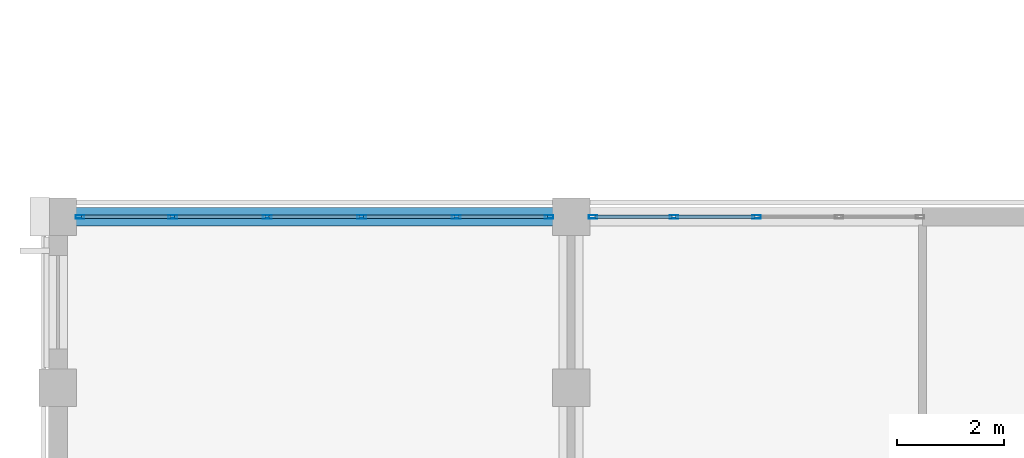
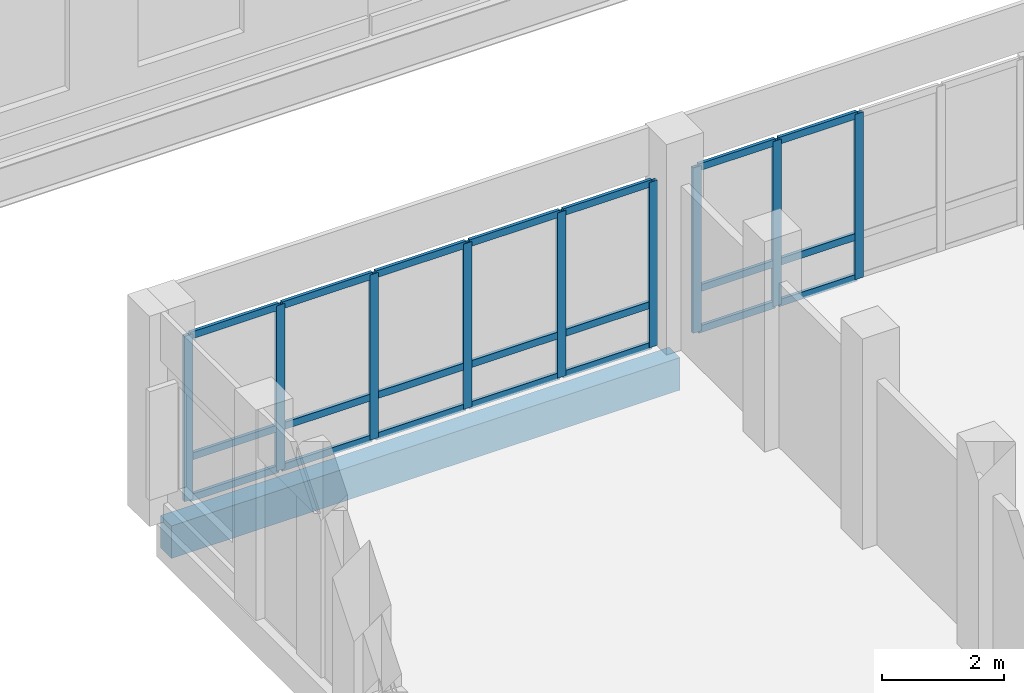
# One storey, part 30 of 185: 30 members, 1 beam, 2 elements without a shape of their own.
"""IFC4 building model written with IfcOpenShell, lengths in metres."""

from ifc_helpers import new_model, si_unit, direction, frame, origin, origin_2d, place, context, subcontext, project, spatial, rectangle, hollow_rectangle, extrude, material, material_profile, profile_set, type_object, element, aggregate, save


model = new_model("IFC4")

# Units and contexts
model_context = context("Model", 3, precision=1e-05, world=origin(), true_north=direction((0.0, 1.0)))
body_context = subcontext(model_context, "Body", "Model", "MODEL_VIEW")
ifc_project = project(units=[si_unit("LENGTHUNIT", "METRE"), si_unit("AREAUNIT", "SQUARE_METRE"), si_unit("VOLUMEUNIT", "CUBIC_METRE"), si_unit("PLANEANGLEUNIT", "RADIAN"), si_unit("MASSUNIT", "GRAM", prefix="KILO")], contexts=[model_context])

# Site, building, storey
site_placement = place(None, origin())
site = spatial("IfcSite", under=ifc_project, at=site_placement, CompositionType="ELEMENT")
building_placement = place(site_placement, origin())
building = spatial("IfcBuilding", under=site, at=building_placement, Name="Vondelvale Polytechnic", CompositionType="ELEMENT")
storey_placement = place(building_placement, frame((0.0, 0.0, 9.60009765625)))
storey = spatial("IfcBuildingStorey", under=building, at=storey_placement, Name="L02", CompositionType="ELEMENT", Elevation=9.60009765625)

# Curtain wall, members
ifc_material_1 = material(Name="Anodised extruded aluminium 6063-T6", Category="aluminium")
curtain_wall_type = type_object("IfcCurtainWallType", Name="CW-STUDIO-NORTH", PredefinedType="NOTDEFINED", material=ifc_material_1)
curtain_wall_1_placement = place(storey_placement, origin())
curtain_wall_1 = element("IfcCurtainWall", 1, at=curtain_wall_1_placement, inside=storey, type_object=curtain_wall_type, Name="L02 architectural curtain wall CW-01-019", PredefinedType="NOTDEFINED")
ifc_material_profile_1 = material_profile(ifc_material_1, hollow_rectangle(XDim=0.06494140625, YDim=0.159912109375, WallThickness=0.0048828125, at=origin_2d()), Name="CW-MUL-160x65")
ifc_profile_set_1 = profile_set([ifc_material_profile_1], Name="Anodised extruded aluminium 6063-T6")
member_type_1 = type_object("IfcMemberType", Name="CW-MUL-65x160", PredefinedType="MULLION", material=ifc_profile_set_1)
member_1_placement = place(storey_placement, frame((0.41259765625, 40.800048828125, 0.0), z_axis=(0.0, 0.0, 1.0), x_axis=(0.0, 1.0, 0.0)))
member_1 = element("IfcMember", 2, at=member_1_placement, type_object=member_type_1, Name="CW-01-019 mullion 1", PredefinedType="MULLION", context=body_context, shape_type="SweptSolid", body=[
    extrude(hollow_rectangle(XDim=0.06494140625, YDim=0.159912109375, WallThickness=0.0048828125, at=origin_2d()), origin(), (0.0, 0.0, 1.0), 3.2998046875),
])
member_2_placement = place(storey_placement, frame((2.14794921875, 40.800048828125, 0.0), z_axis=(0.0, 0.0, 1.0), x_axis=(0.0, 1.0, 0.0)))
member_2 = element("IfcMember", 3, at=member_2_placement, type_object=member_type_1, Name="CW-01-019 mullion 2", PredefinedType="MULLION", context=body_context, shape_type="SweptSolid", body=[
    extrude(hollow_rectangle(XDim=0.06494140625, YDim=0.159912109375, WallThickness=0.0048828125, at=origin_2d()), origin(), (0.0, 0.0, 1.0), 3.2998046875),
])
member_3_placement = place(storey_placement, frame((3.916015625, 40.800048828125, 0.0), z_axis=(0.0, 0.0, 1.0), x_axis=(0.0, 1.0, 0.0)))
member_3 = element("IfcMember", 4, at=member_3_placement, type_object=member_type_1, Name="CW-01-019 mullion 3", PredefinedType="MULLION", context=body_context, shape_type="SweptSolid", body=[
    extrude(hollow_rectangle(XDim=0.06494140625, YDim=0.159912109375, WallThickness=0.0048828125, at=origin_2d()), origin(), (0.0, 0.0, 1.0), 3.2998046875),
])
member_4_placement = place(storey_placement, frame((5.68408203125, 40.800048828125, 0.0), z_axis=(0.0, 0.0, 1.0), x_axis=(0.0, 1.0, 0.0)))
member_4 = element("IfcMember", 5, at=member_4_placement, type_object=member_type_1, Name="CW-01-019 mullion 4", PredefinedType="MULLION", context=body_context, shape_type="SweptSolid", body=[
    extrude(hollow_rectangle(XDim=0.06494140625, YDim=0.159912109375, WallThickness=0.0048828125, at=origin_2d()), origin(), (0.0, 0.0, 1.0), 3.2998046875),
])
member_5_placement = place(storey_placement, frame((7.451904296875, 40.800048828125, 0.0), z_axis=(0.0, 0.0, 1.0), x_axis=(0.0, 1.0, 0.0)))
member_5 = element("IfcMember", 6, at=member_5_placement, type_object=member_type_1, Name="CW-01-019 mullion 5", PredefinedType="MULLION", context=body_context, shape_type="SweptSolid", body=[
    extrude(hollow_rectangle(XDim=0.06494140625, YDim=0.159912109375, WallThickness=0.0048828125, at=origin_2d()), origin(), (0.0, 0.0, 1.0), 3.2998046875),
])
member_6_placement = place(storey_placement, frame((9.1875, 40.800048828125, 0.0), z_axis=(0.0, 0.0, 1.0), x_axis=(0.0, 1.0, 0.0)))
member_6 = element("IfcMember", 7, at=member_6_placement, type_object=member_type_1, Name="CW-01-019 mullion 6", PredefinedType="MULLION", context=body_context, shape_type="SweptSolid", body=[
    extrude(hollow_rectangle(XDim=0.06494140625, YDim=0.159912109375, WallThickness=0.0048828125, at=origin_2d()), origin(), (0.0, 0.0, 1.0), 3.2998046875),
])

curtain_wall_2_placement = place(storey_placement, origin())
curtain_wall_2 = element("IfcCurtainWall", 8, at=curtain_wall_2_placement, inside=storey, type_object=curtain_wall_type, Name="L02 architectural curtain wall CW-01-020", PredefinedType="NOTDEFINED")
member_7_placement = place(storey_placement, frame((10.012451171875, 40.800048828125, 0.0), z_axis=(0.0, 0.0, 1.0), x_axis=(0.0, 1.0, 0.0)))
member_7 = element("IfcMember", 9, at=member_7_placement, type_object=member_type_1, Name="CW-01-020 mullion 1", PredefinedType="MULLION", context=body_context, shape_type="SweptSolid", body=[
    extrude(hollow_rectangle(XDim=0.06494140625, YDim=0.159912109375, WallThickness=0.0048828125, at=origin_2d()), origin(), (0.0, 0.0, 1.0), 3.2998046875),
])
member_8_placement = place(storey_placement, frame((11.52490234375, 40.800048828125, 0.0), z_axis=(0.0, 0.0, 1.0), x_axis=(0.0, 1.0, 0.0)))
member_8 = element("IfcMember", 10, at=member_8_placement, type_object=member_type_1, Name="CW-01-020 mullion 2", PredefinedType="MULLION", context=body_context, shape_type="SweptSolid", body=[
    extrude(hollow_rectangle(XDim=0.06494140625, YDim=0.159912109375, WallThickness=0.0048828125, at=origin_2d()), origin(), (0.0, 0.0, 1.0), 3.2998046875),
])
member_9_placement = place(storey_placement, frame((13.070068359375, 40.800048828125, 0.0), z_axis=(0.0, 0.0, 1.0), x_axis=(0.0, 1.0, 0.0)))
member_9 = element("IfcMember", 11, at=member_9_placement, type_object=member_type_1, Name="CW-01-020 mullion 3", PredefinedType="MULLION", context=body_context, shape_type="SweptSolid", body=[
    extrude(hollow_rectangle(XDim=0.06494140625, YDim=0.159912109375, WallThickness=0.0048828125, at=origin_2d()), origin(), (0.0, 0.0, 1.0), 3.2998046875),
])

# Member
ifc_material_profile_2 = material_profile(ifc_material_1, hollow_rectangle(XDim=0.06005859375, YDim=0.139892578125, WallThickness=0.00341796875, at=origin_2d()), Name="CW-TRN-140x60")
ifc_profile_set_2 = profile_set([ifc_material_profile_2], Name="Anodised extruded aluminium 6063-T6")
member_type_2 = type_object("IfcMemberType", Name="CW-TRN-60x140", PredefinedType="USERDEFINED", material=ifc_profile_set_2)
member_10_placement = place(storey_placement, frame((0.445068359375, 40.800048828125, 0.02978515625), z_axis=(1.0, 0.0, 0.0), x_axis=(0.0, 1.0, 0.0)))
member_10 = element("IfcMember", 12, at=member_10_placement, type_object=member_type_2, Name="CW-01-019 transom 1.1", ObjectType="TRANSOM", PredefinedType="USERDEFINED", context=body_context, shape_type="SweptSolid", body=[
    extrude(hollow_rectangle(XDim=0.06005859375, YDim=0.139892578125, WallThickness=0.00341796875, at=origin_2d()), origin(), (0.0, 0.0, 1.0), 1.67041015625),
])

member_11_placement = place(storey_placement, frame((0.445068359375, 40.800048828125, 0.849853515625), z_axis=(1.0, 0.0, 0.0), x_axis=(0.0, 1.0, 0.0)))
member_11 = element("IfcMember", 13, at=member_11_placement, type_object=member_type_2, Name="CW-01-019 transom 1.2", ObjectType="TRANSOM", PredefinedType="USERDEFINED", context=body_context, shape_type="SweptSolid", body=[
    extrude(hollow_rectangle(XDim=0.06005859375, YDim=0.139892578125, WallThickness=0.00341796875, at=origin_2d()), origin(), (0.0, 0.0, 1.0), 1.67041015625),
])

member_12_placement = place(storey_placement, frame((0.445068359375, 40.800048828125, 3.27001953125), z_axis=(1.0, 0.0, 0.0), x_axis=(0.0, 1.0, 0.0)))
member_12 = element("IfcMember", 14, at=member_12_placement, type_object=member_type_2, Name="CW-01-019 transom 1.3", ObjectType="TRANSOM", PredefinedType="USERDEFINED", context=body_context, shape_type="SweptSolid", body=[
    extrude(hollow_rectangle(XDim=0.06005859375, YDim=0.139892578125, WallThickness=0.00341796875, at=origin_2d()), origin(), (0.0, 0.0, 1.0), 1.67041015625),
])

member_13_placement = place(storey_placement, frame((2.180419921875, 40.800048828125, 0.02978515625), z_axis=(1.0, 0.0, 0.0), x_axis=(0.0, 1.0, 0.0)))
member_13 = element("IfcMember", 15, at=member_13_placement, type_object=member_type_2, Name="CW-01-019 transom 2.1", ObjectType="TRANSOM", PredefinedType="USERDEFINED", context=body_context, shape_type="SweptSolid", body=[
    extrude(hollow_rectangle(XDim=0.06005859375, YDim=0.139892578125, WallThickness=0.00341796875, at=origin_2d()), origin(), (0.0, 0.0, 1.0), 1.703125),
])

member_14_placement = place(storey_placement, frame((2.180419921875, 40.800048828125, 0.849853515625), z_axis=(1.0, 0.0, 0.0), x_axis=(0.0, 1.0, 0.0)))
member_14 = element("IfcMember", 16, at=member_14_placement, type_object=member_type_2, Name="CW-01-019 transom 2.2", ObjectType="TRANSOM", PredefinedType="USERDEFINED", context=body_context, shape_type="SweptSolid", body=[
    extrude(hollow_rectangle(XDim=0.06005859375, YDim=0.139892578125, WallThickness=0.00341796875, at=origin_2d()), origin(), (0.0, 0.0, 1.0), 1.703125),
])

member_15_placement = place(storey_placement, frame((2.180419921875, 40.800048828125, 3.27001953125), z_axis=(1.0, 0.0, 0.0), x_axis=(0.0, 1.0, 0.0)))
member_15 = element("IfcMember", 17, at=member_15_placement, type_object=member_type_2, Name="CW-01-019 transom 2.3", ObjectType="TRANSOM", PredefinedType="USERDEFINED", context=body_context, shape_type="SweptSolid", body=[
    extrude(hollow_rectangle(XDim=0.06005859375, YDim=0.139892578125, WallThickness=0.00341796875, at=origin_2d()), origin(), (0.0, 0.0, 1.0), 1.703125),
])

member_16_placement = place(storey_placement, frame((3.948486328125, 40.800048828125, 0.02978515625), z_axis=(1.0, 0.0, 0.0), x_axis=(0.0, 1.0, 0.0)))
member_16 = element("IfcMember", 18, at=member_16_placement, type_object=member_type_2, Name="CW-01-019 transom 3.1", ObjectType="TRANSOM", PredefinedType="USERDEFINED", context=body_context, shape_type="SweptSolid", body=[
    extrude(hollow_rectangle(XDim=0.06005859375, YDim=0.139892578125, WallThickness=0.00341796875, at=origin_2d()), origin(), (0.0, 0.0, 1.0), 1.703125),
])

member_17_placement = place(storey_placement, frame((3.948486328125, 40.800048828125, 0.849853515625), z_axis=(1.0, 0.0, 0.0), x_axis=(0.0, 1.0, 0.0)))
member_17 = element("IfcMember", 19, at=member_17_placement, type_object=member_type_2, Name="CW-01-019 transom 3.2", ObjectType="TRANSOM", PredefinedType="USERDEFINED", context=body_context, shape_type="SweptSolid", body=[
    extrude(hollow_rectangle(XDim=0.06005859375, YDim=0.139892578125, WallThickness=0.00341796875, at=origin_2d()), origin(), (0.0, 0.0, 1.0), 1.703125),
])

member_18_placement = place(storey_placement, frame((3.948486328125, 40.800048828125, 3.27001953125), z_axis=(1.0, 0.0, 0.0), x_axis=(0.0, 1.0, 0.0)))
member_18 = element("IfcMember", 20, at=member_18_placement, type_object=member_type_2, Name="CW-01-019 transom 3.3", ObjectType="TRANSOM", PredefinedType="USERDEFINED", context=body_context, shape_type="SweptSolid", body=[
    extrude(hollow_rectangle(XDim=0.06005859375, YDim=0.139892578125, WallThickness=0.00341796875, at=origin_2d()), origin(), (0.0, 0.0, 1.0), 1.703125),
])

member_19_placement = place(storey_placement, frame((5.716552734375, 40.800048828125, 0.02978515625), z_axis=(1.0, 0.0, 0.0), x_axis=(0.0, 1.0, 0.0)))
member_19 = element("IfcMember", 21, at=member_19_placement, type_object=member_type_2, Name="CW-01-019 transom 4.1", ObjectType="TRANSOM", PredefinedType="USERDEFINED", context=body_context, shape_type="SweptSolid", body=[
    extrude(hollow_rectangle(XDim=0.06005859375, YDim=0.139892578125, WallThickness=0.00341796875, at=origin_2d()), origin(), (0.0, 0.0, 1.0), 1.702880859375),
])

member_20_placement = place(storey_placement, frame((5.716552734375, 40.800048828125, 0.849853515625), z_axis=(1.0, 0.0, 0.0), x_axis=(0.0, 1.0, 0.0)))
member_20 = element("IfcMember", 22, at=member_20_placement, type_object=member_type_2, Name="CW-01-019 transom 4.2", ObjectType="TRANSOM", PredefinedType="USERDEFINED", context=body_context, shape_type="SweptSolid", body=[
    extrude(hollow_rectangle(XDim=0.06005859375, YDim=0.139892578125, WallThickness=0.00341796875, at=origin_2d()), origin(), (0.0, 0.0, 1.0), 1.702880859375),
])

member_21_placement = place(storey_placement, frame((5.716552734375, 40.800048828125, 3.27001953125), z_axis=(1.0, 0.0, 0.0), x_axis=(0.0, 1.0, 0.0)))
member_21 = element("IfcMember", 23, at=member_21_placement, type_object=member_type_2, Name="CW-01-019 transom 4.3", ObjectType="TRANSOM", PredefinedType="USERDEFINED", context=body_context, shape_type="SweptSolid", body=[
    extrude(hollow_rectangle(XDim=0.06005859375, YDim=0.139892578125, WallThickness=0.00341796875, at=origin_2d()), origin(), (0.0, 0.0, 1.0), 1.702880859375),
])

member_22_placement = place(storey_placement, frame((7.484619140625, 40.800048828125, 0.02978515625), z_axis=(1.0, 0.0, 0.0), x_axis=(0.0, 1.0, 0.0)))
member_22 = element("IfcMember", 24, at=member_22_placement, type_object=member_type_2, Name="CW-01-019 transom 5.1", ObjectType="TRANSOM", PredefinedType="USERDEFINED", context=body_context, shape_type="SweptSolid", body=[
    extrude(hollow_rectangle(XDim=0.06005859375, YDim=0.139892578125, WallThickness=0.00341796875, at=origin_2d()), origin(), (0.0, 0.0, 1.0), 1.67041015625),
])

member_23_placement = place(storey_placement, frame((7.484619140625, 40.800048828125, 0.849853515625), z_axis=(1.0, 0.0, 0.0), x_axis=(0.0, 1.0, 0.0)))
member_23 = element("IfcMember", 25, at=member_23_placement, type_object=member_type_2, Name="CW-01-019 transom 5.2", ObjectType="TRANSOM", PredefinedType="USERDEFINED", context=body_context, shape_type="SweptSolid", body=[
    extrude(hollow_rectangle(XDim=0.06005859375, YDim=0.139892578125, WallThickness=0.00341796875, at=origin_2d()), origin(), (0.0, 0.0, 1.0), 1.67041015625),
])

member_24_placement = place(storey_placement, frame((7.484619140625, 40.800048828125, 3.27001953125), z_axis=(1.0, 0.0, 0.0), x_axis=(0.0, 1.0, 0.0)))
member_24 = element("IfcMember", 26, at=member_24_placement, type_object=member_type_2, Name="CW-01-019 transom 5.3", ObjectType="TRANSOM", PredefinedType="USERDEFINED", context=body_context, shape_type="SweptSolid", body=[
    extrude(hollow_rectangle(XDim=0.06005859375, YDim=0.139892578125, WallThickness=0.00341796875, at=origin_2d()), origin(), (0.0, 0.0, 1.0), 1.67041015625),
])

aggregate(curtain_wall_1, [member_1, member_2, member_3, member_4, member_5, member_6, member_10, member_11, member_12, member_13, member_14, member_15, member_16, member_17, member_18, member_19, member_20, member_21, member_22, member_23, member_24])

member_25_placement = place(storey_placement, frame((10.044921875, 40.800048828125, 0.02978515625), z_axis=(1.0, 0.0, 0.0), x_axis=(0.0, 1.0, 0.0)))
member_25 = element("IfcMember", 27, at=member_25_placement, type_object=member_type_2, Name="CW-01-020 transom 1.1", ObjectType="TRANSOM", PredefinedType="USERDEFINED", context=body_context, shape_type="SweptSolid", body=[
    extrude(hollow_rectangle(XDim=0.06005859375, YDim=0.139892578125, WallThickness=0.00341796875, at=origin_2d()), origin(), (0.0, 0.0, 1.0), 1.447509765625),
])

member_26_placement = place(storey_placement, frame((10.044921875, 40.800048828125, 0.849853515625), z_axis=(1.0, 0.0, 0.0), x_axis=(0.0, 1.0, 0.0)))
member_26 = element("IfcMember", 28, at=member_26_placement, type_object=member_type_2, Name="CW-01-020 transom 1.2", ObjectType="TRANSOM", PredefinedType="USERDEFINED", context=body_context, shape_type="SweptSolid", body=[
    extrude(hollow_rectangle(XDim=0.06005859375, YDim=0.139892578125, WallThickness=0.00341796875, at=origin_2d()), origin(), (0.0, 0.0, 1.0), 1.447509765625),
])

member_27_placement = place(storey_placement, frame((10.044921875, 40.800048828125, 3.27001953125), z_axis=(1.0, 0.0, 0.0), x_axis=(0.0, 1.0, 0.0)))
member_27 = element("IfcMember", 29, at=member_27_placement, type_object=member_type_2, Name="CW-01-020 transom 1.3", ObjectType="TRANSOM", PredefinedType="USERDEFINED", context=body_context, shape_type="SweptSolid", body=[
    extrude(hollow_rectangle(XDim=0.06005859375, YDim=0.139892578125, WallThickness=0.00341796875, at=origin_2d()), origin(), (0.0, 0.0, 1.0), 1.447509765625),
])

member_28_placement = place(storey_placement, frame((11.5576171875, 40.800048828125, 0.02978515625), z_axis=(1.0, 0.0, 0.0), x_axis=(0.0, 1.0, 0.0)))
member_28 = element("IfcMember", 30, at=member_28_placement, type_object=member_type_2, Name="CW-01-020 transom 2.1", ObjectType="TRANSOM", PredefinedType="USERDEFINED", context=body_context, shape_type="SweptSolid", body=[
    extrude(hollow_rectangle(XDim=0.06005859375, YDim=0.139892578125, WallThickness=0.00341796875, at=origin_2d()), origin(), (0.0, 0.0, 1.0), 1.47998046875),
])

member_29_placement = place(storey_placement, frame((11.5576171875, 40.800048828125, 0.849853515625), z_axis=(1.0, 0.0, 0.0), x_axis=(0.0, 1.0, 0.0)))
member_29 = element("IfcMember", 31, at=member_29_placement, type_object=member_type_2, Name="CW-01-020 transom 2.2", ObjectType="TRANSOM", PredefinedType="USERDEFINED", context=body_context, shape_type="SweptSolid", body=[
    extrude(hollow_rectangle(XDim=0.06005859375, YDim=0.139892578125, WallThickness=0.00341796875, at=origin_2d()), origin(), (0.0, 0.0, 1.0), 1.47998046875),
])

member_30_placement = place(storey_placement, frame((11.5576171875, 40.800048828125, 3.27001953125), z_axis=(1.0, 0.0, 0.0), x_axis=(0.0, 1.0, 0.0)))
member_30 = element("IfcMember", 32, at=member_30_placement, type_object=member_type_2, Name="CW-01-020 transom 2.3", ObjectType="TRANSOM", PredefinedType="USERDEFINED", context=body_context, shape_type="SweptSolid", body=[
    extrude(hollow_rectangle(XDim=0.06005859375, YDim=0.139892578125, WallThickness=0.00341796875, at=origin_2d()), origin(), (0.0, 0.0, 1.0), 1.47998046875),
])

aggregate(curtain_wall_2, [member_7, member_8, member_9, member_25, member_26, member_27, member_28, member_29, member_30])

# Beam
ifc_material_2 = material(Name="Precast concrete N40 (f'c = 40 MPa)", Category="concrete")
ifc_material_profile_3 = material_profile(ifc_material_2, rectangle(XDim=0.35009765625, YDim=0.64990234375, at=origin_2d()), Name="RC-SPN-350x650")
ifc_profile_set_3 = profile_set([ifc_material_profile_3], Name="Precast concrete N40 (f'c = 40 MPa)")
beam_type = type_object("IfcBeamType", Name="SPN-PRE350x650", PredefinedType="SPANDREL", material=ifc_profile_set_3)
beam_placement = place(storey_placement, frame((0.0, 40.800048828125, -0.60498046875), z_axis=(1.0, 0.0, 0.0), x_axis=(0.0, 1.0, 0.0)))
element("IfcBeam", 33, at=beam_placement, inside=storey, type_object=beam_type, Name="L02 B SP-02", PredefinedType="SPANDREL", context=body_context, shape_type="SweptSolid", body=[
    extrude(rectangle(XDim=0.35009765625, YDim=0.64990234375, at=origin_2d()), origin(), (0.0, 0.0, 1.0), 9.60009765625),
])

save(model, "model.ifc")
